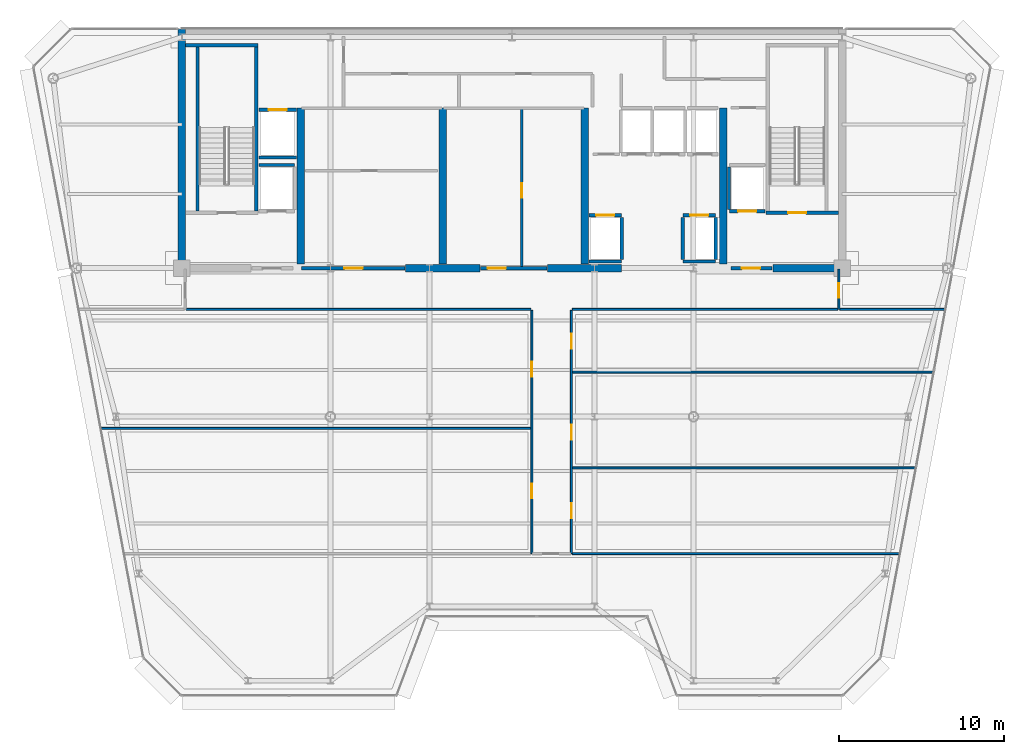
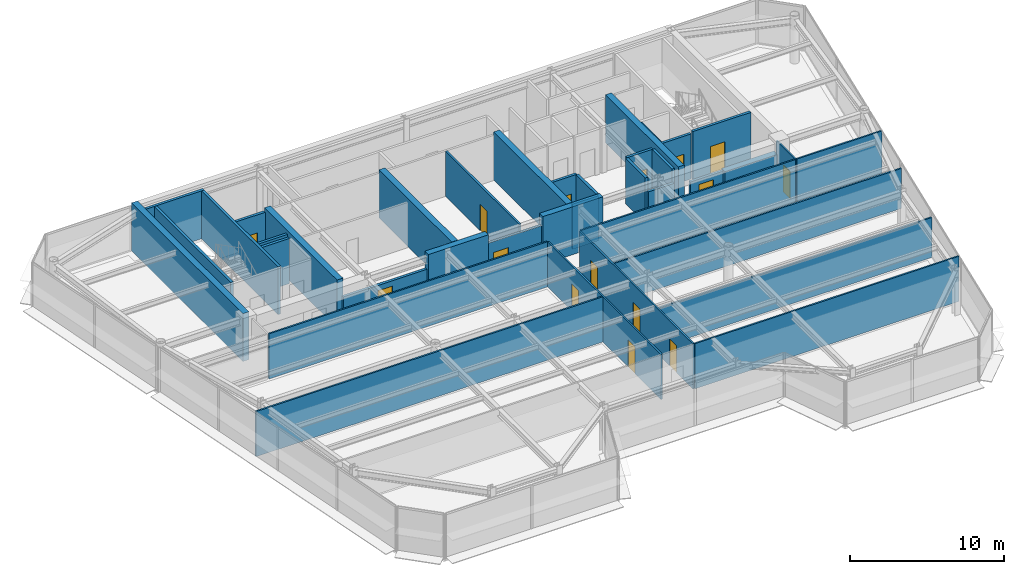
# One storey, part 10 of 18: 38 walls, 15 doors, 15 openings.
"""IFC4 building model written with IfcOpenShell, lengths in metres."""

import ifcopenshell
import ifcopenshell.guid

model = None  # the IFC model being written
_history = None  # IfcOwnerHistory: only IFC2X3 demands one
_inside = {}  # id of a spatial element -> (the spatial element, [elements in it])
_under = {}  # id of a project, library or spatial element -> (it, [spatial elements below it])
_declared = {}  # id of a project -> (the project, [libraries it declares])
_typed = {}  # id of a type object -> (the type object, [elements of that type])
_made_of = {}  # id of a material, layer set ... -> (it, [elements and type objects made of it])


def new_model(schema):
    """Start an empty IFC model of exactly this schema.

    Asked for "IFC4X3", IfcOpenShell would pick the latest addendum, in which some entities
    have other attributes; the version numbers below select the first issue.
    IFC2X3 requires an IfcOwnerHistory on every rooted entity: one is made here for all.
    """
    global model, _history
    if schema == "IFC4X3":
        model = ifcopenshell.file(schema_version=(4, 3, 0, 0))
    else:
        model = ifcopenshell.file(schema=schema)
    _inside.clear()
    _under.clear()
    _declared.clear()
    _typed.clear()
    _made_of.clear()
    _history = None
    if model.schema == "IFC2X3":
        org = make("IfcOrganization", Name="unknown")
        user = make(
            "IfcPersonAndOrganization",
            ThePerson=make("IfcPerson", FamilyName="unknown"),
            TheOrganization=org,
        )
        app = make(
            "IfcApplication",
            ApplicationDeveloper=org,
            Version="unknown",
            ApplicationFullName="unknown",
            ApplicationIdentifier="unknown",
        )
        _history = make(
            "IfcOwnerHistory",
            OwningUser=user,
            OwningApplication=app,
            ChangeAction="ADDED",
            CreationDate=0,
        )
    return model


def make(cls, **values):
    """One entity of the class cls with the attributes given. An attribute that is None is left unset."""
    return model.create_entity(
        cls, **{name: value for name, value in values.items() if value is not None}
    )


def rooted(cls, **values):
    """An entity with a GlobalId (a new one), such as an element, a storey or a relation."""
    return make(cls, GlobalId=ifcopenshell.guid.new(), OwnerHistory=_history, **values)


def si_unit(unit_type, name, prefix=None):
    """IfcSIUnit, for example si_unit("LENGTHUNIT", "METRE", prefix="MILLI")."""
    return make("IfcSIUnit", UnitType=unit_type, Prefix=prefix, Name=name)


def assignment(units):
    """IfcUnitAssignment: the units of a project."""
    return None if units is None else make("IfcUnitAssignment", Units=units)


def point(xyz):
    """IfcCartesianPoint."""
    return None if xyz is None else make("IfcCartesianPoint", Coordinates=xyz)


def direction(xyz):
    """IfcDirection."""
    return None if xyz is None else make("IfcDirection", DirectionRatios=xyz)


def frame(location, z_axis=None, x_axis=None):
    """IfcAxis2Placement3D, a coordinate frame: its origin and axes. An axis left out is left unset."""
    return make(
        "IfcAxis2Placement3D",
        Location=point(location),
        Axis=direction(z_axis),
        RefDirection=direction(x_axis),
    )


def frame_2d(location, x_axis=None):
    """IfcAxis2Placement2D, a coordinate frame in the plane: its origin and x axis."""
    return make(
        "IfcAxis2Placement2D", Location=point(location), RefDirection=direction(x_axis)
    )


def origin():
    """The frame at (0, 0, 0) with its axes left unset."""
    return frame((0.0, 0.0, 0.0))


def place(relative_to, where):
    """IfcLocalPlacement: puts the frame where relative to a parent placement (None: the world)."""
    return make(
        "IfcLocalPlacement", PlacementRelTo=relative_to, RelativePlacement=where
    )


def context(
    kind, dimensions, precision=None, world=None, true_north=None, identifier=None
):
    """IfcGeometricRepresentationContext, for example the 3D "Model" context."""
    return make(
        "IfcGeometricRepresentationContext",
        ContextIdentifier=identifier,
        ContextType=kind,
        CoordinateSpaceDimension=dimensions,
        Precision=precision,
        WorldCoordinateSystem=world,
        TrueNorth=true_north,
    )


def subcontext(parent, identifier, kind, view, scale=None):
    """IfcGeometricRepresentationSubContext, for example "Body" below "Model"."""
    return make(
        "IfcGeometricRepresentationSubContext",
        ContextIdentifier=identifier,
        ContextType=kind,
        ParentContext=parent,
        TargetScale=scale,
        TargetView=view,
    )


def project(units=None, contexts=None):
    """IfcProject with its units and contexts."""
    return rooted(
        "IfcProject",
        Name="project",
        RepresentationContexts=contexts,
        UnitsInContext=assignment(units),
    )


def spatial(cls, under=None, at=None, **own):
    """A site, building, storey or space (cls), placed at a placement, below another one or the project."""
    s = rooted(cls, ObjectPlacement=at, **own)
    if under is not None:
        _under.setdefault(under.id(), (under, []))[1].append(s)
    return s


def profile(cls, at=None, kind="AREA", **sizes):
    """A parametric profile (cls). Its sizes go by their IFC names, for example OverallWidth=200.0."""
    return make(cls, ProfileType=kind, Position=at, **sizes)


def rectangle(**sizes):
    """IfcRectangleProfileDef."""
    return profile("IfcRectangleProfileDef", **sizes)


def extrude(swept, where, along, depth):
    """IfcExtrudedAreaSolid: the profile swept, set in the frame where, extruded along a direction by depth."""
    return make(
        "IfcExtrudedAreaSolid",
        SweptArea=swept,
        Position=where,
        ExtrudedDirection=direction(along),
        Depth=depth,
    )


def shape(context_of_items, identifier, shape_type, items):
    """IfcShapeRepresentation: the items that make up one representation, for example the "Body"."""
    return make(
        "IfcShapeRepresentation",
        ContextOfItems=context_of_items,
        RepresentationIdentifier=identifier,
        RepresentationType=shape_type,
        Items=items,
    )


def source(mapping_origin, context_of_items, identifier, shape_type, items):
    """IfcRepresentationMap: a shape defined once, which mapped items show again and again."""
    return make(
        "IfcRepresentationMap",
        MappingOrigin=mapping_origin,
        MappedRepresentation=shape(context_of_items, identifier, shape_type, items),
    )


def transform(
    local_origin,
    x_axis=None,
    y_axis=None,
    z_axis=None,
    scale=None,
    scale2=None,
    scale3=None,
    uniform=True,
):
    """IfcCartesianTransformationOperator3D, or its non-uniform kind. x_axis, y_axis, z_axis: its Axis1, 2, 3."""
    if uniform:
        return make(
            "IfcCartesianTransformationOperator3D",
            Axis1=direction(x_axis),
            Axis2=direction(y_axis),
            LocalOrigin=point(local_origin),
            Scale=scale,
            Axis3=direction(z_axis),
        )
    return make(
        "IfcCartesianTransformationOperator3DnonUniform",
        Axis1=direction(x_axis),
        Axis2=direction(y_axis),
        LocalOrigin=point(local_origin),
        Scale=scale,
        Axis3=direction(z_axis),
        Scale2=scale2,
        Scale3=scale3,
    )


def mapped(mapping_source, mapping_target):
    """IfcMappedItem: shows the shape of a source again, moved by a transform."""
    return make(
        "IfcMappedItem", MappingSource=mapping_source, MappingTarget=mapping_target
    )


def material(Name=None, Category=None):
    """IfcMaterial."""
    return make("IfcMaterial", Name=Name, Category=Category)


def layer(
    of_material, thickness, ventilated=None, Name=None, Category=None, Priority=None
):
    """IfcMaterialLayer: one layer of a wall or slab, of a material (None: an air gap)."""
    return make(
        "IfcMaterialLayer",
        Material=of_material,
        LayerThickness=thickness,
        IsVentilated=ventilated,
        Name=Name,
        Category=Category,
        Priority=Priority,
    )


def layer_set(layers, Name=None):
    """IfcMaterialLayerSet."""
    return make("IfcMaterialLayerSet", MaterialLayers=layers, LayerSetName=Name)


def made_of(thing, what):
    """Note that an element or type object is made of a material, layer set ...; save() writes the relation."""
    if what is not None:
        _made_of.setdefault(what.id(), (what, []))[1].append(thing)
    return thing


def type_object(cls, material=None, **own):
    """A type object (cls), such as IfcWallType, which elements share."""
    return made_of(rooted(cls, **own), material)


def element(
    cls,
    number,
    at=None,
    inside=None,
    cuts=None,
    type_object=None,
    material=None,
    context=None,
    identifier="Body",
    shape_type=None,
    held_by="IfcProductDefinitionShape",
    body=None,
    shapes=None,
    **own,
):
    """One element of the class cls, such as IfcWall. Its Tag is "e" and its number.

    at: its placement. inside: the storey or other place that contains it. cuts: it is an
    opening in that element (IfcRelVoidsElement). A single representation is given by context,
    identifier, shape_type and body (its items); several are given by shapes. held_by: the class
    of the entity that holds the representations. save() writes the other relations.
    """
    e = rooted(cls, Tag="e%d" % number, ObjectPlacement=at, **own)
    if body is not None:
        shapes = [shape(context, identifier, shape_type, body)]
    if shapes is not None:
        e.Representation = make(held_by, Representations=shapes)
    if inside is not None:
        _inside.setdefault(inside.id(), (inside, []))[1].append(e)
    if cuts is not None:
        rooted(
            "IfcRelVoidsElement", RelatingBuildingElement=cuts, RelatedOpeningElement=e
        )
    if type_object is not None:
        _typed.setdefault(type_object.id(), (type_object, []))[1].append(e)
    return made_of(e, material)


def fill(opening, filler):
    """IfcRelFillsElement: the door or window that sits in an opening."""
    return rooted(
        "IfcRelFillsElement",
        RelatingOpeningElement=opening,
        RelatedBuildingElement=filler,
    )


def aggregate(whole, parts):
    """IfcRelAggregates: a whole, such as a stair, and the parts it consists of."""
    return rooted("IfcRelAggregates", RelatingObject=whole, RelatedObjects=parts)


def save(model, path):
    """Write the relations noted so far, then the file.

    IfcRelAggregates (storeys below a building ...), IfcRelContainedInSpatialStructure (elements
    in a storey), IfcRelDefinesByType, IfcRelAssociatesMaterial and IfcRelDeclares: one each for
    every whole, place, type object, material and project.
    """
    for whole, parts in _under.values():
        aggregate(whole, parts)
    for where, things in _inside.values():
        rooted(
            "IfcRelContainedInSpatialStructure",
            RelatedElements=things,
            RelatingStructure=where,
        )
    for kind, things in _typed.values():
        rooted("IfcRelDefinesByType", RelatedObjects=things, RelatingType=kind)
    for what, things in _made_of.values():
        rooted("IfcRelAssociatesMaterial", RelatedObjects=things, RelatingMaterial=what)
    for by, libraries in _declared.values():
        rooted("IfcRelDeclares", RelatingContext=by, RelatedDefinitions=libraries)
    model.write(path)


model = new_model("IFC4")

# Units and contexts
model_context = context("Model", 3, precision=1e-05, world=origin(), true_north=direction((0.0, 1.0)))
body_context = subcontext(model_context, "Body", "Model", "MODEL_VIEW")
ifc_project = project(units=[si_unit("LENGTHUNIT", "METRE"), si_unit("AREAUNIT", "SQUARE_METRE"), si_unit("VOLUMEUNIT", "CUBIC_METRE"), si_unit("PLANEANGLEUNIT", "RADIAN"), si_unit("MASSUNIT", "GRAM", prefix="KILO")], contexts=[model_context])

# Site, building, storey
site_placement = place(None, origin())
site = spatial("IfcSite", under=ifc_project, at=site_placement, CompositionType="ELEMENT")
building_placement = place(site_placement, origin())
building = spatial("IfcBuilding", under=site, at=building_placement, Name="Vaeldorn Concourse Tower", CompositionType="ELEMENT")
storey_placement = place(building_placement, frame((0.0, 0.0, 246.0)))
storey = spatial("IfcBuildingStorey", under=building, at=storey_placement, Name="L63", CompositionType="ELEMENT", Elevation=246.0)

# Walls
ifc_material_1 = material(Name="Concrete C50/60", Category="concrete")
ifc_layer_1 = layer(ifc_material_1, 0.449951171875)
ifc_layer_set_1 = layer_set([ifc_layer_1], Name="Concrete C50/60")
wall_type_1 = type_object("IfcWallType", Name="WL-CORE-450", PredefinedType="SHEAR", material=ifc_layer_set_1)
wall_1_placement = place(storey_placement, frame((14.0, 36.5, 0.0), z_axis=(0.0, 0.0, 1.0), x_axis=(0.0, 1.0, 0.0)))
element("IfcWall", 1, at=wall_1_placement, inside=storey, type_object=wall_type_1, Name="Rear Core Shear Wall L63 W1", PredefinedType="SHEAR", context=body_context, shape_type="SweptSolid", body=[
    extrude(rectangle(XDim=14.5, YDim=0.449951171875, at=frame_2d((7.25, 0.0))), origin(), (0.0, 0.0, 1.0), 3.800048828125),
])
for number, where, z_axis, x_axis, name in (
    (2, (27.550048828125, 36.5, 0.0), (0.0, 0.0, 1.0), (1.0, 0.0, 0.0), "Rear Core Shear Wall L63 S2"),
    (3, (36.14990234375, 36.5, 0.0), (0.0, 0.0, 1.0), (1.0, 0.0, 0.0), "Rear Core Shear Wall L63 S3"),
):
    element("IfcWall", number, at=place(storey_placement, frame(where, z_axis=z_axis, x_axis=x_axis)), inside=storey, type_object=wall_type_1, Name=name, PredefinedType="SHEAR", context=body_context, shape_type="SweptSolid", body=[
        extrude(rectangle(XDim=4.5, YDim=0.449951171875, at=frame_2d((2.25, 0.0))), origin(), (0.0, 0.0, 1.0), 3.800048828125),
    ])
wall_2_placement = place(storey_placement, frame((49.800048828125, 36.5, 0.0), z_axis=(0.0, 0.0, 1.0), x_axis=(1.0, 0.0, 0.0)))
element("IfcWall", 4, at=wall_2_placement, inside=storey, type_object=wall_type_1, Name="Rear Core Shear Wall L63 S4", PredefinedType="SHEAR", context=body_context, shape_type="SweptSolid", body=[
    extrude(rectangle(XDim=3.954833984375, YDim=0.449951171875, at=frame_2d((1.9775390625, 0.0))), origin(), (0.0, 0.0, 1.0), 2.580078125),
])
for number, where, z_axis, x_axis, name in (
    (5, (21.199951171875, 36.7451171875, 0.0), (0.0, 0.0, 1.0), (0.0, 1.0, 0.0), "Rear Core Shear Wall L63 M1"),
    (6, (29.800048828125, 36.7451171875, 0.0), (0.0, 0.0, 1.0), (0.0, 1.0, 0.0), "Rear Core Shear Wall L63 M2"),
    (7, (38.39990234375, 36.7451171875, 0.0), (0.0, 0.0, 1.0), (0.0, 1.0, 0.0), "Rear Core Shear Wall L63 M3"),
    (8, (46.800048828125, 36.7451171875, 0.0), (0.0, 0.0, 1.0), (0.0, 1.0, 0.0), "Rear Core Shear Wall L63 M4"),
):
    element("IfcWall", number, at=place(storey_placement, frame(where, z_axis=z_axis, x_axis=x_axis)), inside=storey, type_object=wall_type_1, Name=name, PredefinedType="SHEAR", context=body_context, shape_type="SweptSolid", body=[
        extrude(rectangle(XDim=9.454833984375, YDim=0.449951171875, at=frame_2d((4.7275390625, 0.0))), origin(), (0.0, 0.0, 1.0), 3.800048828125),
    ])
ifc_material_2 = material(Name="Gypsum Board Partition", Category="gypsum")
ifc_layer_2 = layer(ifc_material_2, 0.1201171875)
ifc_layer_set_2 = layer_set([ifc_layer_2], Name="Gypsum Board Partition")
wall_type_2 = type_object("IfcWallType", Name="WL-PART-120", PredefinedType="PARTITIONING", material=ifc_layer_set_2)
wall_3_placement = place(storey_placement, frame((14.260009765625, 34.0, 0.0), z_axis=(0.0, 0.0, 1.0), x_axis=(1.0, 0.0, 0.0)))
element("IfcWall", 9, at=wall_3_placement, inside=storey, type_object=wall_type_2, Name="Interior Wall PW-L63-C3SW", PredefinedType="PARTITIONING", context=body_context, shape_type="SweptSolid", body=[
    extrude(rectangle(XDim=20.8798828125, YDim=0.1201171875, at=frame_2d((10.43994140625, 0.0))), origin(), (0.0, 0.0, 1.0), 3.580078125),
])
wall_4_placement = place(storey_placement, frame((37.659912109375, 34.0, 0.0), z_axis=(0.0, 0.0, 1.0), x_axis=(1.0, 0.0, 0.0)))
element("IfcWall", 10, at=wall_4_placement, inside=storey, type_object=wall_type_2, Name="Interior Wall PW-L63-C3SE", PredefinedType="PARTITIONING", context=body_context, shape_type="SweptSolid", body=[
    extrude(rectangle(XDim=16.080078125, YDim=0.1201171875, at=frame_2d((8.0400390625, 0.0))), origin(), (0.0, 0.0, 1.0), 3.580078125),
])

# Wall, opening, door
wall_5_placement = place(storey_placement, frame((53.800048828125, 34.0, 0.0), z_axis=(0.0, 0.0, 1.0), x_axis=(0.0, 1.0, 0.0)))
wall_5 = element("IfcWall", 11, at=wall_5_placement, inside=storey, type_object=wall_type_2, Name="Interior Wall PW-L63-C3E", PredefinedType="PARTITIONING", context=body_context, shape_type="SweptSolid", body=[
    extrude(rectangle(XDim=2.43994140625, YDim=0.1201171875, at=frame_2d((1.219970703125, 0.0))), origin(), (0.0, 0.0, 1.0), 3.580078125),
])
opening_1_placement = place(wall_5_placement, frame((0.699951171875, 0.0, 0.0)))
opening_1 = element("IfcOpeningElement", 12, at=opening_1_placement, cuts=wall_5, Name="Opening D-03", PredefinedType="OPENING", context=body_context, shape_type="SweptSolid", body=[
    extrude(rectangle(XDim=0.89990234375, YDim=2.14990234375, at=frame_2d((0.449951171875, 1.074951171875))), frame((0.0, 0.070068359375, 0.0), z_axis=(0.0, -1.0, 0.0), x_axis=(1.0, 0.0, 0.0)), (0.0, 0.0, 1.0), 0.14013671875),
])
ifc_material_3 = material(Name="Acoustic Bronze-Framed Glass Door", Category="glass")
door_type_1 = type_object("IfcDoorType", Name="DR-INT-900", OperationType="NOTDEFINED", PredefinedType="DOOR", material=ifc_material_3)
shared_shape_1 = source(origin(), body_context, "Body", "SweptSolid", [
    extrude(rectangle(XDim=0.89990234375, YDim=2.14990234375, at=frame_2d((0.449951171875, 1.074951171875))), frame((0.0, 0.02490234375, 0.0), z_axis=(0.0, -1.0, 0.0), x_axis=(1.0, 0.0, 0.0)), (0.0, 0.0, 1.0), 0.050048828125),
])
door_1_placement = place(opening_1_placement, origin())
door_1 = element("IfcDoor", 13, at=door_1_placement, inside=storey, type_object=door_type_1, Name="Interior Door DR-L63-Z3NE", OperationType="SINGLE_SWING_RIGHT", OverallHeight=2.14990234375, OverallWidth=0.89990234375, PredefinedType="DOOR", context=body_context, shape_type="MappedRepresentation", body=[
    mapped(shared_shape_1, transform((0.0, 0.0, 0.0), scale=1.0)),
])
fill(opening_1, door_1)

# Wall, openings, doors
wall_6_placement = place(storey_placement, frame((35.199951171875, 19.199951171875, 0.0), z_axis=(0.0, 0.0, 1.0), x_axis=(0.0, 1.0, 0.0)))
wall_6 = element("IfcWall", 14, at=wall_6_placement, inside=storey, type_object=wall_type_2, Name="Interior Wall PW-L63-CSPW", PredefinedType="PARTITIONING", context=body_context, shape_type="SweptSolid", body=[
    extrude(rectangle(XDim=14.739990234375, YDim=0.1201171875, at=frame_2d((7.3701171875, 0.0))), origin(), (0.0, 0.0, 1.0), 3.580078125),
])
opening_2_placement = place(wall_6_placement, frame((3.35009765625, 0.0, 0.0)))
opening_2 = element("IfcOpeningElement", 15, at=opening_2_placement, cuts=wall_6, Name="Opening D-03", PredefinedType="OPENING", context=body_context, shape_type="SweptSolid", body=[
    extrude(rectangle(XDim=0.89990234375, YDim=2.14990234375, at=frame_2d((0.449951171875, 1.074951171875))), frame((0.0, 0.070068359375, 0.0), z_axis=(0.0, -1.0, 0.0), x_axis=(1.0, 0.0, 0.0)), (0.0, 0.0, 1.0), 0.14013671875),
])
opening_3_placement = place(wall_6_placement, frame((10.719970703125, 0.0, 0.0)))
opening_3 = element("IfcOpeningElement", 16, at=opening_3_placement, cuts=wall_6, Name="Opening D-03", PredefinedType="OPENING", context=body_context, shape_type="SweptSolid", body=[
    extrude(rectangle(XDim=0.89990234375, YDim=2.14990234375, at=frame_2d((0.449951171875, 1.074951171875))), frame((0.0, 0.070068359375, 0.0), z_axis=(0.0, -1.0, 0.0), x_axis=(1.0, 0.0, 0.0)), (0.0, 0.0, 1.0), 0.14013671875),
])
door_2_placement = place(opening_2_placement, origin())
door_2 = element("IfcDoor", 17, at=door_2_placement, inside=storey, type_object=door_type_1, Name="Interior Door DR-L63-Z3W1", OperationType="SINGLE_SWING_LEFT", OverallHeight=2.14990234375, OverallWidth=0.89990234375, PredefinedType="DOOR", context=body_context, shape_type="MappedRepresentation", body=[
    mapped(shared_shape_1, transform((0.0, 0.0, 0.0), scale=1.0)),
])
fill(opening_2, door_2)
door_3_placement = place(opening_3_placement, origin())
door_3 = element("IfcDoor", 18, at=door_3_placement, inside=storey, type_object=door_type_1, Name="Interior Door DR-L63-Z3W2", OperationType="SINGLE_SWING_RIGHT", OverallHeight=2.14990234375, OverallWidth=0.89990234375, PredefinedType="DOOR", context=body_context, shape_type="MappedRepresentation", body=[
    mapped(shared_shape_1, transform((0.0, 0.0, 0.0), scale=1.0)),
])
fill(opening_3, door_3)

wall_7_placement = place(storey_placement, frame((37.60009765625, 19.199951171875, 0.0), z_axis=(0.0, 0.0, 1.0), x_axis=(0.0, 1.0, 0.0)))
wall_7 = element("IfcWall", 19, at=wall_7_placement, inside=storey, type_object=wall_type_2, Name="Interior Wall PW-L63-CSPE", PredefinedType="PARTITIONING", context=body_context, shape_type="SweptSolid", body=[
    extrude(rectangle(XDim=14.739990234375, YDim=0.1201171875, at=frame_2d((7.3701171875, 0.0))), origin(), (0.0, 0.0, 1.0), 3.580078125),
])
opening_4_placement = place(wall_7_placement, frame((2.14990234375, 0.0, 0.0)))
opening_4 = element("IfcOpeningElement", 20, at=opening_4_placement, cuts=wall_7, Name="Opening D-03", PredefinedType="OPENING", context=body_context, shape_type="SweptSolid", body=[
    extrude(rectangle(XDim=0.89990234375, YDim=2.14990234375, at=frame_2d((0.449951171875, 1.074951171875))), frame((0.0, 0.070068359375, 0.0), z_axis=(0.0, -1.0, 0.0), x_axis=(1.0, 0.0, 0.0)), (0.0, 0.0, 1.0), 0.14013671875),
])
opening_5_placement = place(wall_7_placement, frame((6.89990234375, 0.0, 0.0)))
opening_5 = element("IfcOpeningElement", 21, at=opening_5_placement, cuts=wall_7, Name="Opening D-03", PredefinedType="OPENING", context=body_context, shape_type="SweptSolid", body=[
    extrude(rectangle(XDim=0.89990234375, YDim=2.14990234375, at=frame_2d((0.449951171875, 1.074951171875))), frame((0.0, 0.070068359375, 0.0), z_axis=(0.0, -1.0, 0.0), x_axis=(1.0, 0.0, 0.0)), (0.0, 0.0, 1.0), 0.14013671875),
])
opening_6_placement = place(wall_7_placement, frame((12.419921875, 0.0, 0.0)))
opening_6 = element("IfcOpeningElement", 22, at=opening_6_placement, cuts=wall_7, Name="Opening D-03", PredefinedType="OPENING", context=body_context, shape_type="SweptSolid", body=[
    extrude(rectangle(XDim=0.89990234375, YDim=2.14990234375, at=frame_2d((0.449951171875, 1.074951171875))), frame((0.0, 0.070068359375, 0.0), z_axis=(0.0, -1.0, 0.0), x_axis=(1.0, 0.0, 0.0)), (0.0, 0.0, 1.0), 0.14013671875),
])
door_4_placement = place(opening_4_placement, origin())
door_4 = element("IfcDoor", 23, at=door_4_placement, inside=storey, type_object=door_type_1, Name="Interior Door DR-L63-Z3E1", OperationType="SINGLE_SWING_RIGHT", OverallHeight=2.14990234375, OverallWidth=0.89990234375, PredefinedType="DOOR", context=body_context, shape_type="MappedRepresentation", body=[
    mapped(shared_shape_1, transform((0.0, 0.0, 0.0), scale=1.0)),
])
fill(opening_4, door_4)
door_5_placement = place(opening_5_placement, origin())
door_5 = element("IfcDoor", 24, at=door_5_placement, inside=storey, type_object=door_type_1, Name="Interior Door DR-L63-Z3E2", OperationType="SINGLE_SWING_LEFT", OverallHeight=2.14990234375, OverallWidth=0.89990234375, PredefinedType="DOOR", context=body_context, shape_type="MappedRepresentation", body=[
    mapped(shared_shape_1, transform((0.0, 0.0, 0.0), scale=1.0)),
])
fill(opening_5, door_5)
door_6_placement = place(opening_6_placement, origin())
door_6 = element("IfcDoor", 25, at=door_6_placement, inside=storey, type_object=door_type_1, Name="Interior Door DR-L63-Z3E3", OperationType="SINGLE_SWING_RIGHT", OverallHeight=2.14990234375, OverallWidth=0.89990234375, PredefinedType="DOOR", context=body_context, shape_type="MappedRepresentation", body=[
    mapped(shared_shape_1, transform((0.0, 0.0, 0.0), scale=1.0)),
])
fill(opening_6, door_6)

# Walls
wall_8_placement = place(storey_placement, frame((53.860107421875, 34.0, 0.0), z_axis=(0.0, 0.0, 1.0), x_axis=(1.0, 0.0, 0.0)))
element("IfcWall", 26, at=wall_8_placement, inside=storey, type_object=wall_type_2, Name="Interior Wall PW-L63-Z3NEB", PredefinedType="PARTITIONING", context=body_context, shape_type="SweptSolid", body=[
    extrude(rectangle(XDim=6.36279296875, YDim=0.1201171875, at=frame_2d((3.181396484375, 0.0))), origin(), (0.0, 0.0, 1.0), 3.580078125),
])
wall_9_placement = place(storey_placement, frame((9.117919921875, 26.800048828125, 0.0), z_axis=(0.0, 0.0, 1.0), x_axis=(1.0, 0.0, 0.0)))
element("IfcWall", 27, at=wall_9_placement, inside=storey, type_object=wall_type_2, Name="Interior Wall PW-L63-Z3WY1", PredefinedType="PARTITIONING", context=body_context, shape_type="SweptSolid", body=[
    extrude(rectangle(XDim=26.02197265625, YDim=0.1201171875, at=frame_2d((13.010986328125, 0.0))), origin(), (0.0, 0.0, 1.0), 3.580078125),
])
wall_10_placement = place(storey_placement, frame((37.659912109375, 24.39990234375, 0.0), z_axis=(0.0, 0.0, 1.0), x_axis=(1.0, 0.0, 0.0)))
element("IfcWall", 28, at=wall_10_placement, inside=storey, type_object=wall_type_2, Name="Interior Wall PW-L63-Z3EY1", PredefinedType="PARTITIONING", context=body_context, shape_type="SweptSolid", body=[
    extrude(rectangle(XDim=20.775390625, YDim=0.1201171875, at=frame_2d((10.3876953125, 0.0))), origin(), (0.0, 0.0, 1.0), 3.169921875),
])
wall_11_placement = place(storey_placement, frame((37.659912109375, 30.199951171875, 0.0), z_axis=(0.0, 0.0, 1.0), x_axis=(1.0, 0.0, 0.0)))
element("IfcWall", 29, at=wall_11_placement, inside=storey, type_object=wall_type_2, Name="Interior Wall PW-L63-Z3EY2", PredefinedType="PARTITIONING", context=body_context, shape_type="SweptSolid", body=[
    extrude(rectangle(XDim=21.85546875, YDim=0.1201171875, at=frame_2d((10.927734375, 0.0))), origin(), (0.0, 0.0, 1.0), 3.169921875),
])
wall_12_placement = place(storey_placement, frame((37.659912109375, 19.199951171875, 0.0), z_axis=(0.0, 0.0, 1.0), x_axis=(1.0, 0.0, 0.0)))
element("IfcWall", 30, at=wall_12_placement, inside=storey, type_object=wall_type_2, Name="Interior Wall PW-L63-Z3SEL", PredefinedType="PARTITIONING", context=body_context, shape_type="SweptSolid", body=[
    extrude(rectangle(XDim=19.80712890625, YDim=0.1201171875, at=frame_2d((9.903564453125, 0.0))), origin(), (0.0, 0.0, 1.0), 3.580078125),
])

# Wall, opening, door
ifc_layer_3 = layer(ifc_material_2, 0.14990234375)
ifc_layer_set_3 = layer_set([ifc_layer_3], Name="Gypsum Board Partition")
wall_type_3 = type_object("IfcWallType", Name="WL-PART-150", PredefinedType="PARTITIONING", material=ifc_layer_set_3)
wall_13_placement = place(storey_placement, frame((34.60009765625, 36.56005859375, 0.0), z_axis=(0.0, 0.0, 1.0), x_axis=(0.0, 1.0, 0.0)))
wall_13 = element("IfcWall", 31, at=wall_13_placement, inside=storey, type_object=wall_type_3, Name="Interior Wall CW-L63-R2M", PredefinedType="PARTITIONING", context=body_context, shape_type="SweptSolid", body=[
    extrude(rectangle(XDim=9.579833984375, YDim=0.14990234375, at=frame_2d((4.7900390625, 0.0))), origin(), (0.0, 0.0, 1.0), 3.580078125),
])
opening_7_placement = place(wall_13_placement, frame((4.199951171875, 0.0, 0.0)))
opening_7 = element("IfcOpeningElement", 32, at=opening_7_placement, cuts=wall_13, Name="Opening D-02", PredefinedType="OPENING", context=body_context, shape_type="SweptSolid", body=[
    extrude(rectangle(XDim=0.89990234375, YDim=2.10009765625, at=frame_2d((0.449951171875, 1.050048828125))), frame((0.0, 0.0849609375, 0.0), z_axis=(0.0, -1.0, 0.0), x_axis=(1.0, 0.0, 0.0)), (0.0, 0.0, 1.0), 0.169921875),
])
ifc_material_4 = material(Name="Fire-Rated Timber Leaf", Category="wood")
door_type_2 = type_object("IfcDoorType", Name="DR-FD30-900", OperationType="NOTDEFINED", PredefinedType="DOOR", material=ifc_material_4)
shared_shape_2 = source(origin(), body_context, "Body", "SweptSolid", [
    extrude(rectangle(XDim=0.89990234375, YDim=2.10009765625, at=frame_2d((0.449951171875, 1.050048828125))), frame((0.0, 0.02490234375, 0.0), z_axis=(0.0, -1.0, 0.0), x_axis=(1.0, 0.0, 0.0)), (0.0, 0.0, 1.0), 0.050048828125),
])
door_7_placement = place(opening_7_placement, origin())
door_7 = element("IfcDoor", 33, at=door_7_placement, inside=storey, type_object=door_type_2, Name="Interior Door DR-L63-R2E", OperationType="SINGLE_SWING_RIGHT", OverallHeight=2.10009765625, OverallWidth=0.89990234375, PredefinedType="DOOR", context=body_context, shape_type="MappedRepresentation", body=[
    mapped(shared_shape_2, transform((0.0, 0.0, 0.0), scale=1.0)),
])
fill(opening_7, door_7)

# Walls
ifc_layer_4 = layer(ifc_material_1, 0.199951171875)
ifc_layer_set_4 = layer_set([ifc_layer_4], Name="Concrete C50/60")
wall_type_4 = type_object("IfcWallType", Name="WL-SHAFT-200", PredefinedType="SOLIDWALL", material=ifc_layer_set_4)
wall_14_placement = place(storey_placement, frame((14.22509765625, 50.0, 0.0), z_axis=(0.0, 0.0, 1.0), x_axis=(1.0, 0.0, 0.0)))
element("IfcWall", 34, at=wall_14_placement, inside=storey, type_object=wall_type_4, Name="Stair Shaft Wall CW-L63-ST-1-N", PredefinedType="SOLIDWALL", context=body_context, shape_type="SweptSolid", body=[
    extrude(rectangle(XDim=4.375, YDim=0.199951171875, at=frame_2d((2.1875, 0.0))), origin(), (0.0, 0.0, 1.0), 3.800048828125),
])
for number, where, z_axis, x_axis, name in (
    (35, (14.949951171875, 39.9599609375, 0.0), (0.0, 0.0, 1.0), (0.0, 1.0, 0.0), "Stair Shaft Wall CW-L63-ST-1-W"),
    (36, (18.5, 39.9599609375, 0.0), (0.0, 0.0, 1.0), (0.0, 1.0, 0.0), "Stair Shaft Wall CW-L63-ST-1-E"),
):
    element("IfcWall", number, at=place(storey_placement, frame(where, z_axis=z_axis, x_axis=x_axis)), inside=storey, type_object=wall_type_4, Name=name, PredefinedType="SOLIDWALL", context=body_context, shape_type="SweptSolid", body=[
        extrude(rectangle(XDim=9.929931640625, YDim=0.199951171875, at=frame_2d((4.96484375, 0.0))), origin(), (0.0, 0.0, 1.0), 3.800048828125),
    ])

# Wall, opening, door
wall_15_placement = place(storey_placement, frame((49.39990234375, 39.85009765625, 0.0), z_axis=(0.0, 0.0, 1.0), x_axis=(1.0, 0.0, 0.0)))
wall_15 = element("IfcWall", 37, at=wall_15_placement, inside=storey, type_object=wall_type_4, Name="Stair Shaft Wall CW-L63-ST-2-S", PredefinedType="SOLIDWALL", context=body_context, shape_type="SweptSolid", body=[
    extrude(rectangle(XDim=4.375, YDim=0.199951171875, at=frame_2d((2.1875, 0.0))), origin(), (0.0, 0.0, 1.0), 3.800048828125),
])
opening_8_placement = place(wall_15_placement, frame((1.324951171875, 0.0, 0.0)))
opening_8 = element("IfcOpeningElement", 38, at=opening_8_placement, cuts=wall_15, Name="Opening D-01", PredefinedType="OPENING", context=body_context, shape_type="SweptSolid", body=[
    extrude(rectangle(XDim=1.10009765625, YDim=2.14990234375, at=frame_2d((0.550048828125, 1.074951171875))), frame((0.0, 0.10986328125, 0.0), z_axis=(0.0, -1.0, 0.0), x_axis=(1.0, 0.0, 0.0)), (0.0, 0.0, 1.0), 0.219970703125),
])
ifc_material_5 = material(Name="Fire-Rated Timber and Steel Leaf", Category="steel")
door_type_3 = type_object("IfcDoorType", Name="DR-FD60-1100", OperationType="NOTDEFINED", PredefinedType="DOOR", material=ifc_material_5)
shared_shape_3 = source(origin(), body_context, "Body", "SweptSolid", [
    extrude(rectangle(XDim=1.10009765625, YDim=2.14990234375, at=frame_2d((0.550048828125, 1.074951171875))), frame((0.0, 0.02490234375, 0.0), z_axis=(0.0, -1.0, 0.0), x_axis=(1.0, 0.0, 0.0)), (0.0, 0.0, 1.0), 0.050048828125),
])
door_8_placement = place(opening_8_placement, origin())
door_8 = element("IfcDoor", 39, at=door_8_placement, inside=storey, type_object=door_type_3, Name="Interior Door DR-L63-ST-2", OperationType="SINGLE_SWING_RIGHT", OverallHeight=2.14990234375, OverallWidth=1.10009765625, PredefinedType="DOOR", context=body_context, shape_type="MappedRepresentation", body=[
    mapped(shared_shape_3, transform((0.0, 0.0, 0.0), scale=1.0)),
])
fill(opening_8, door_8)

wall_16_placement = place(storey_placement, frame((47.280029296875, 36.5, 0.0), z_axis=(0.0, 0.0, 1.0), x_axis=(1.0, 0.0, 0.0)))
wall_16 = element("IfcWall", 40, at=wall_16_placement, inside=storey, type_object=wall_type_4, Name="Interior Wall CW-L63-FF2S", PredefinedType="SOLIDWALL", context=body_context, shape_type="SweptSolid", body=[
    extrude(rectangle(XDim=2.469970703125, YDim=0.199951171875, at=frame_2d((1.23486328125, 0.0))), origin(), (0.0, 0.0, 1.0), 2.570068359375),
])
opening_9_placement = place(wall_16_placement, frame((0.64990234375, 0.0, 0.0)))
opening_9 = element("IfcOpeningElement", 41, at=opening_9_placement, cuts=wall_16, Name="Opening D-01", PredefinedType="OPENING", context=body_context, shape_type="SweptSolid", body=[
    extrude(rectangle(XDim=1.10009765625, YDim=2.14990234375, at=frame_2d((0.550048828125, 1.074951171875))), frame((0.0, 0.10986328125, 0.0), z_axis=(0.0, -1.0, 0.0), x_axis=(1.0, 0.0, 0.0)), (0.0, 0.0, 1.0), 0.219970703125),
])
door_9_placement = place(opening_9_placement, origin())
door_9 = element("IfcDoor", 42, at=door_9_placement, inside=storey, type_object=door_type_3, Name="Interior Door DR-L63-FF2W", OperationType="SINGLE_SWING_LEFT", OverallHeight=2.14990234375, OverallWidth=1.10009765625, PredefinedType="DOOR", context=body_context, shape_type="MappedRepresentation", body=[
    mapped(shared_shape_3, transform((0.0, 0.0, 0.0), scale=1.0)),
])
fill(opening_9, door_9)

wall_17_placement = place(storey_placement, frame((38.669921875, 39.699951171875, 0.0), z_axis=(0.0, 0.0, 1.0), x_axis=(1.0, 0.0, 0.0)))
wall_17 = element("IfcWall", 43, at=wall_17_placement, inside=storey, type_object=wall_type_4, Name="Interior Wall CW-L63-LF-LF-13", PredefinedType="SOLIDWALL", context=body_context, shape_type="SweptSolid", body=[
    extrude(rectangle(XDim=1.9599609375, YDim=0.199951171875, at=frame_2d((0.97998046875, 0.0))), origin(), (0.0, 0.0, 1.0), 3.580078125),
])
opening_10_placement = place(wall_17_placement, frame((0.429931640625, 0.0, 0.0)))
opening_10 = element("IfcOpeningElement", 44, at=opening_10_placement, cuts=wall_17, Name="Opening LD-1", PredefinedType="OPENING", context=body_context, shape_type="SweptSolid", body=[
    extrude(rectangle(XDim=1.10009765625, YDim=2.14990234375, at=frame_2d((0.550048828125, 1.074951171875))), frame((0.0, 0.10986328125, 0.0), z_axis=(0.0, -1.0, 0.0), x_axis=(1.0, 0.0, 0.0)), (0.0, 0.0, 1.0), 0.219970703125),
])
ifc_material_6 = material(Name="Anodised Bronze Aluminium", Category="aluminium")
door_type_4 = type_object("IfcDoorType", Name="DR-LIFT-SLIDE-1100", OperationType="DOUBLE_DOOR_SLIDING", PredefinedType="DOOR", material=ifc_material_6)
door_10_placement = place(opening_10_placement, origin())
door_10 = element("IfcDoor", 45, at=door_10_placement, inside=storey, type_object=door_type_4, Name="Lift Landing Door LD-L63-LF-13", OperationType="DOUBLE_DOOR_SLIDING", OverallHeight=2.14990234375, OverallWidth=1.10009765625, PredefinedType="DOOR", context=body_context, shape_type="MappedRepresentation", body=[
    mapped(shared_shape_3, transform((0.0, 0.0, 0.0), scale=1.0)),
])
fill(opening_10, door_10)

# Walls
wall_18_placement = place(storey_placement, frame((38.669921875, 36.89990234375, 0.0), z_axis=(0.0, 0.0, 1.0), x_axis=(1.0, 0.0, 0.0)))
element("IfcWall", 46, at=wall_18_placement, inside=storey, type_object=wall_type_4, Name="Interior Wall CW-L63-LFB-LF-13", PredefinedType="SOLIDWALL", context=body_context, shape_type="SweptSolid", body=[
    extrude(rectangle(XDim=1.9599609375, YDim=0.199951171875, at=frame_2d((0.97998046875, 0.0))), origin(), (0.0, 0.0, 1.0), 3.580078125),
])
wall_19_placement = place(storey_placement, frame((40.64990234375, 37.02001953125, 0.0), z_axis=(0.0, 0.0, 1.0), x_axis=(0.0, 1.0, 0.0)))
element("IfcWall", 47, at=wall_19_placement, inside=storey, type_object=wall_type_4, Name="Interior Wall CW-L63-LFE-LF-13", PredefinedType="SOLIDWALL", context=body_context, shape_type="SweptSolid", body=[
    extrude(rectangle(XDim=2.56005859375, YDim=0.199951171875, at=frame_2d((1.280029296875, 0.0))), origin(), (0.0, 0.0, 1.0), 3.580078125),
])

# Wall, opening, door
wall_20_placement = place(storey_placement, frame((44.3701171875, 39.699951171875, 0.0), z_axis=(0.0, 0.0, 1.0), x_axis=(1.0, 0.0, 0.0)))
wall_20 = element("IfcWall", 48, at=wall_20_placement, inside=storey, type_object=wall_type_4, Name="Interior Wall CW-L63-LF-LF-14", PredefinedType="SOLIDWALL", context=body_context, shape_type="SweptSolid", body=[
    extrude(rectangle(XDim=1.9599609375, YDim=0.199951171875, at=frame_2d((0.97998046875, 0.0))), origin(), (0.0, 0.0, 1.0), 3.580078125),
])
opening_11_placement = place(wall_20_placement, frame((0.429931640625, 0.0, 0.0)))
opening_11 = element("IfcOpeningElement", 49, at=opening_11_placement, cuts=wall_20, Name="Opening LD-1", PredefinedType="OPENING", context=body_context, shape_type="SweptSolid", body=[
    extrude(rectangle(XDim=1.10009765625, YDim=2.14990234375, at=frame_2d((0.550048828125, 1.074951171875))), frame((0.0, 0.10986328125, 0.0), z_axis=(0.0, -1.0, 0.0), x_axis=(1.0, 0.0, 0.0)), (0.0, 0.0, 1.0), 0.219970703125),
])
door_11_placement = place(opening_11_placement, origin())
door_11 = element("IfcDoor", 50, at=door_11_placement, inside=storey, type_object=door_type_4, Name="Lift Landing Door LD-L63-LF-14", OperationType="DOUBLE_DOOR_SLIDING", OverallHeight=2.14990234375, OverallWidth=1.10009765625, PredefinedType="DOOR", context=body_context, shape_type="MappedRepresentation", body=[
    mapped(shared_shape_3, transform((0.0, 0.0, 0.0), scale=1.0)),
])
fill(opening_11, door_11)

# Walls
wall_21_placement = place(storey_placement, frame((44.3701171875, 36.89990234375, 0.0), z_axis=(0.0, 0.0, 1.0), x_axis=(1.0, 0.0, 0.0)))
element("IfcWall", 51, at=wall_21_placement, inside=storey, type_object=wall_type_4, Name="Interior Wall CW-L63-LFB-LF-14", PredefinedType="SOLIDWALL", context=body_context, shape_type="SweptSolid", body=[
    extrude(rectangle(XDim=1.9599609375, YDim=0.199951171875, at=frame_2d((0.97998046875, 0.0))), origin(), (0.0, 0.0, 1.0), 2.570068359375),
])
for number, where, z_axis, x_axis, name in (
    (52, (44.35009765625, 37.02001953125, 0.0), (0.0, 0.0, 1.0), (0.0, 1.0, 0.0), "Interior Wall CW-L63-LFW-LF-14"),
    (53, (46.35009765625, 37.02001953125, 0.0), (0.0, 0.0, 1.0), (0.0, 1.0, 0.0), "Interior Wall CW-L63-LFE-LF-14"),
):
    element("IfcWall", number, at=place(storey_placement, frame(where, z_axis=z_axis, x_axis=x_axis)), inside=storey, type_object=wall_type_4, Name=name, PredefinedType="SOLIDWALL", context=body_context, shape_type="SweptSolid", body=[
        extrude(rectangle(XDim=2.56005859375, YDim=0.199951171875, at=frame_2d((1.280029296875, 0.0))), origin(), (0.0, 0.0, 1.0), 3.580078125),
    ])

# Wall, opening, door
wall_22_placement = place(storey_placement, frame((18.669921875, 46.10009765625, 0.0), z_axis=(0.0, 0.0, 1.0), x_axis=(1.0, 0.0, 0.0)))
wall_22 = element("IfcWall", 54, at=wall_22_placement, inside=storey, type_object=wall_type_4, Name="Interior Wall CW-L63-LF-LF-SV1", PredefinedType="SOLIDWALL", context=body_context, shape_type="SweptSolid", body=[
    extrude(rectangle(XDim=2.260009765625, YDim=0.199951171875, at=frame_2d((1.1298828125, 0.0))), origin(), (0.0, 0.0, 1.0), 3.580078125),
])
opening_12_placement = place(wall_22_placement, frame((0.580078125, 0.0, 0.0)))
opening_12 = element("IfcOpeningElement", 55, at=opening_12_placement, cuts=wall_22, Name="Opening LD-1", PredefinedType="OPENING", context=body_context, shape_type="SweptSolid", body=[
    extrude(rectangle(XDim=1.10009765625, YDim=2.14990234375, at=frame_2d((0.550048828125, 1.074951171875))), frame((0.0, 0.10986328125, 0.0), z_axis=(0.0, -1.0, 0.0), x_axis=(1.0, 0.0, 0.0)), (0.0, 0.0, 1.0), 0.219970703125),
])
door_12_placement = place(opening_12_placement, origin())
door_12 = element("IfcDoor", 56, at=door_12_placement, inside=storey, type_object=door_type_4, Name="Lift Landing Door LD-L63-LF-SV1", OperationType="DOUBLE_DOOR_SLIDING", OverallHeight=2.14990234375, OverallWidth=1.10009765625, PredefinedType="DOOR", context=body_context, shape_type="MappedRepresentation", body=[
    mapped(shared_shape_3, transform((0.0, 0.0, 0.0), scale=1.0)),
])
fill(opening_12, door_12)

# Walls
wall_23_placement = place(storey_placement, frame((18.669921875, 43.199951171875, 0.0), z_axis=(0.0, 0.0, 1.0), x_axis=(1.0, 0.0, 0.0)))
element("IfcWall", 57, at=wall_23_placement, inside=storey, type_object=wall_type_4, Name="Interior Wall CW-L63-LFB-LF-SV1", PredefinedType="SOLIDWALL", context=body_context, shape_type="SweptSolid", body=[
    extrude(rectangle(XDim=2.260009765625, YDim=0.199951171875, at=frame_2d((1.1298828125, 0.0))), origin(), (0.0, 0.0, 1.0), 3.580078125),
])
wall_24_placement = place(storey_placement, frame((18.669921875, 42.75, 0.0), z_axis=(0.0, 0.0, 1.0), x_axis=(1.0, 0.0, 0.0)))
element("IfcWall", 58, at=wall_24_placement, inside=storey, type_object=wall_type_4, Name="Interior Wall CW-L63-LFB-LF-FF1", PredefinedType="SOLIDWALL", context=body_context, shape_type="SweptSolid", body=[
    extrude(rectangle(XDim=2.16015625, YDim=0.199951171875, at=frame_2d((1.080078125, 0.0))), origin(), (0.0, 0.0, 1.0), 3.580078125),
])

# Wall, opening, door
wall_25_placement = place(storey_placement, frame((47.169921875, 39.949951171875, 0.0), z_axis=(0.0, 0.0, 1.0), x_axis=(1.0, 0.0, 0.0)))
wall_25 = element("IfcWall", 59, at=wall_25_placement, inside=storey, type_object=wall_type_4, Name="Interior Wall CW-L63-LF-LF-FF2", PredefinedType="SOLIDWALL", context=body_context, shape_type="SweptSolid", body=[
    extrude(rectangle(XDim=2.16015625, YDim=0.199951171875, at=frame_2d((1.080078125, 0.0))), origin(), (0.0, 0.0, 1.0), 3.580078125),
])
opening_13_placement = place(wall_25_placement, frame((0.530029296875, 0.0, 0.0)))
opening_13 = element("IfcOpeningElement", 60, at=opening_13_placement, cuts=wall_25, Name="Opening LD-1", PredefinedType="OPENING", context=body_context, shape_type="SweptSolid", body=[
    extrude(rectangle(XDim=1.10009765625, YDim=2.14990234375, at=frame_2d((0.550048828125, 1.074951171875))), frame((0.0, 0.10986328125, 0.0), z_axis=(0.0, -1.0, 0.0), x_axis=(1.0, 0.0, 0.0)), (0.0, 0.0, 1.0), 0.219970703125),
])
door_13_placement = place(opening_13_placement, origin())
door_13 = element("IfcDoor", 61, at=door_13_placement, inside=storey, type_object=door_type_4, Name="Lift Landing Door LD-L63-LF-FF2", OperationType="DOUBLE_DOOR_SLIDING", OverallHeight=2.14990234375, OverallWidth=1.10009765625, PredefinedType="DOOR", context=body_context, shape_type="MappedRepresentation", body=[
    mapped(shared_shape_3, transform((0.0, 0.0, 0.0), scale=1.0)),
])
fill(opening_13, door_13)

# Wall
wall_26_placement = place(storey_placement, frame((47.14990234375, 40.070068359375, 0.0), z_axis=(0.0, 0.0, 1.0), x_axis=(0.0, 1.0, 0.0)))
element("IfcWall", 62, at=wall_26_placement, inside=storey, type_object=wall_type_4, Name="Interior Wall CW-L63-LFW-LF-FF2", PredefinedType="SOLIDWALL", context=body_context, shape_type="SweptSolid", body=[
    extrude(rectangle(XDim=2.559814453125, YDim=0.199951171875, at=frame_2d((1.27978515625, 0.0))), origin(), (0.0, 0.0, 1.0), 3.580078125),
])

# Wall, opening, door
wall_27_placement = place(storey_placement, frame((21.25, 36.5, 0.0), z_axis=(0.0, 0.0, 1.0), x_axis=(1.0, 0.0, 0.0)))
wall_27 = element("IfcWall", 63, at=wall_27_placement, inside=storey, type_object=wall_type_4, Name="Interior Wall CW-L63-R1S", PredefinedType="SOLIDWALL", context=body_context, shape_type="SweptSolid", body=[
    extrude(rectangle(XDim=6.27001953125, YDim=0.199951171875, at=frame_2d((3.135009765625, 0.0))), origin(), (0.0, 0.0, 1.0), 2.570068359375),
])
opening_14_placement = place(wall_27_placement, frame((2.60009765625, 0.0, 0.0)))
opening_14 = element("IfcOpeningElement", 64, at=opening_14_placement, cuts=wall_27, Name="Opening D-01", PredefinedType="OPENING", context=body_context, shape_type="SweptSolid", body=[
    extrude(rectangle(XDim=1.10009765625, YDim=2.14990234375, at=frame_2d((0.550048828125, 1.074951171875))), frame((0.0, 0.10986328125, 0.0), z_axis=(0.0, -1.0, 0.0), x_axis=(1.0, 0.0, 0.0)), (0.0, 0.0, 1.0), 0.219970703125),
])
door_14_placement = place(opening_14_placement, origin())
door_14 = element("IfcDoor", 65, at=door_14_placement, inside=storey, type_object=door_type_3, Name="Interior Door DR-L63-R1S", OperationType="SINGLE_SWING_LEFT", OverallHeight=2.14990234375, OverallWidth=1.10009765625, PredefinedType="DOOR", context=body_context, shape_type="MappedRepresentation", body=[
    mapped(shared_shape_3, transform((0.0, 0.0, 0.0), scale=1.0)),
])
fill(opening_14, door_14)

wall_28_placement = place(storey_placement, frame((32.080078125, 36.5, 0.0), z_axis=(0.0, 0.0, 1.0), x_axis=(1.0, 0.0, 0.0)))
wall_28 = element("IfcWall", 66, at=wall_28_placement, inside=storey, type_object=wall_type_4, Name="Interior Wall CW-L63-R2S", PredefinedType="SOLIDWALL", context=body_context, shape_type="SweptSolid", body=[
    extrude(rectangle(XDim=4.0400390625, YDim=0.199951171875, at=frame_2d((2.02001953125, 0.0))), origin(), (0.0, 0.0, 1.0), 3.02001953125),
])
opening_15_placement = place(wall_28_placement, frame((0.449951171875, 0.0, 0.0)))
opening_15 = element("IfcOpeningElement", 67, at=opening_15_placement, cuts=wall_28, Name="Opening D-01", PredefinedType="OPENING", context=body_context, shape_type="SweptSolid", body=[
    extrude(rectangle(XDim=1.10009765625, YDim=2.14990234375, at=frame_2d((0.550048828125, 1.074951171875))), frame((0.0, 0.10986328125, 0.0), z_axis=(0.0, -1.0, 0.0), x_axis=(1.0, 0.0, 0.0)), (0.0, 0.0, 1.0), 0.219970703125),
])
door_15_placement = place(opening_15_placement, origin())
door_15 = element("IfcDoor", 68, at=door_15_placement, inside=storey, type_object=door_type_3, Name="Interior Door DR-L63-R2W", OperationType="SINGLE_SWING_LEFT", OverallHeight=2.14990234375, OverallWidth=1.10009765625, PredefinedType="DOOR", context=body_context, shape_type="MappedRepresentation", body=[
    mapped(shared_shape_3, transform((0.0, 0.0, 0.0), scale=1.0)),
])
fill(opening_15, door_15)

save(model, "model.ifc")
